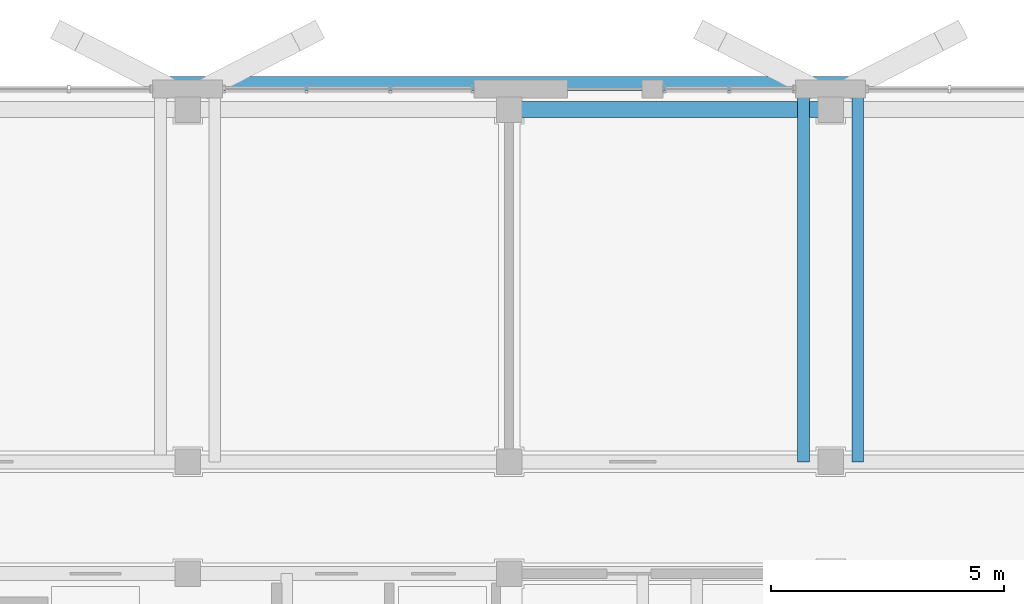
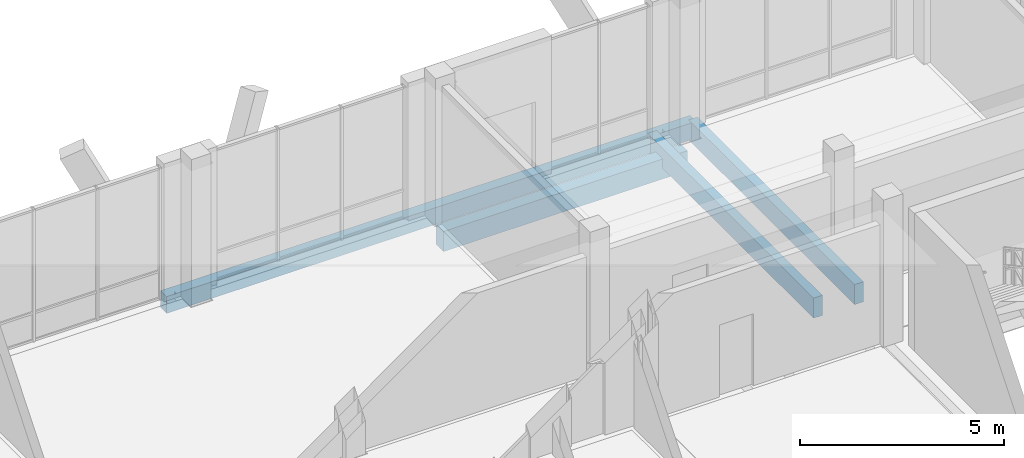
# One storey, part 169 of 233: 4 beams.
"""IFC4 building model written with IfcOpenShell, lengths in metres."""

from ifc_helpers import new_model, si_unit, direction, frame, origin, origin_2d, place, context, subcontext, project, spatial, rectangle, extrude, material, material_profile, profile_set, type_object, element, save


model = new_model("IFC4")

# Units and contexts
model_context = context("Model", 3, precision=1e-05, world=origin(), true_north=direction((0.0, 1.0)))
body_context = subcontext(model_context, "Body", "Model", "MODEL_VIEW")
ifc_project = project(units=[si_unit("LENGTHUNIT", "METRE"), si_unit("AREAUNIT", "SQUARE_METRE"), si_unit("VOLUMEUNIT", "CUBIC_METRE"), si_unit("PLANEANGLEUNIT", "RADIAN"), si_unit("MASSUNIT", "GRAM", prefix="KILO")], contexts=[model_context])

# Site, building, storey
site_placement = place(None, origin())
site = spatial("IfcSite", under=ifc_project, at=site_placement, CompositionType="ELEMENT")
building_placement = place(site_placement, origin())
building = spatial("IfcBuilding", under=site, at=building_placement, Name="Zavelmont Quarter", CompositionType="ELEMENT")
storey_placement = place(building_placement, origin())
storey = spatial("IfcBuildingStorey", under=building, at=storey_placement, Name="L00", CompositionType="ELEMENT", Elevation=0.0)

# Beams
ifc_material_1 = material(Name="Concrete C35/45", Category="concrete")
ifc_material_profile_1 = material_profile(ifc_material_1, rectangle(XDim=0.35009765625, YDim=0.60009765625, at=origin_2d()), Name="RC350X600")
ifc_profile_set_1 = profile_set([ifc_material_profile_1], Name="Concrete C35/45")
beam_type_1 = type_object("IfcBeamType", Name="BM01", PredefinedType="SPANDREL", material=ifc_profile_set_1)
beam_1_placement = place(storey_placement, frame((140.39990234375, 115.56005859375, -0.6201171875), z_axis=(1.0, 0.0, 0.0), x_axis=(0.0, 1.0, 0.0)))
element("IfcBeam", 1, at=beam_1_placement, inside=storey, type_object=beam_type_1, Name="L00 beam BM01 21/S to 22/S", PredefinedType="SPANDREL", context=body_context, shape_type="SweptSolid", body=[
    extrude(rectangle(XDim=0.35009765625, YDim=0.60009765625, at=origin_2d()), origin(), (0.0, 0.0, 1.0), 6.900146484375),
])
ifc_material_profile_2 = material_profile(ifc_material_1, rectangle(XDim=0.300048828125, YDim=0.5, at=origin_2d()), Name="RC300X500")
ifc_profile_set_2 = profile_set([ifc_material_profile_2], Name="Concrete C35/45")
beam_type_2 = type_object("IfcBeamType", Name="BM03", PredefinedType="BEAM", material=ifc_profile_set_2)
beam_2_placement = place(storey_placement, frame((132.919921875, 116.1201171875, -0.25), z_axis=(1.0, 0.0, 0.0), x_axis=(0.0, 1.0, 0.0)))
element("IfcBeam", 2, at=beam_2_placement, inside=storey, type_object=beam_type_2, Name="L00 beam BM03 20/S to 22/S", PredefinedType="BEAM", context=body_context, shape_type="SweptSolid", body=[
    extrude(rectangle(XDim=0.300048828125, YDim=0.5, at=origin_2d()), origin(), (0.0, 0.0, 1.0), 14.9599609375),
])
ifc_material_2 = material(Name="Concrete C40/50", Category="concrete")
ifc_material_profile_3 = material_profile(ifc_material_2, rectangle(XDim=0.25, YDim=0.60009765625, at=origin_2d()), Name="RC250X600")
ifc_profile_set_3 = profile_set([ifc_material_profile_3], Name="Concrete C40/50")
beam_type_3 = type_object("IfcBeamType", Name="BM18", PredefinedType="BEAM", material=ifc_profile_set_3)
for number, where, z_axis, x_axis, name in (
    (3, (146.719970703125, 108.0, -0.300048828125), (0.0, 1.0, 0.0), (-1.0, 0.0, 0.0), "L00 beam BM18 22/R to 22/S"),
    (4, (147.8798828125, 108.0, -0.300048828125), (0.0, 1.0, 0.0), (-1.0, 0.0, 0.0), "L00 beam BM18 22/R to 22/S"),
):
    element("IfcBeam", number, at=place(storey_placement, frame(where, z_axis=z_axis, x_axis=x_axis)), inside=storey, type_object=beam_type_3, Name=name, PredefinedType="BEAM", context=body_context, shape_type="SweptSolid", body=[
        extrude(rectangle(XDim=0.25, YDim=0.60009765625, at=origin_2d()), origin(), (0.0, 0.0, 1.0), 8.1201171875),
    ])

save(model, "model.ifc")
